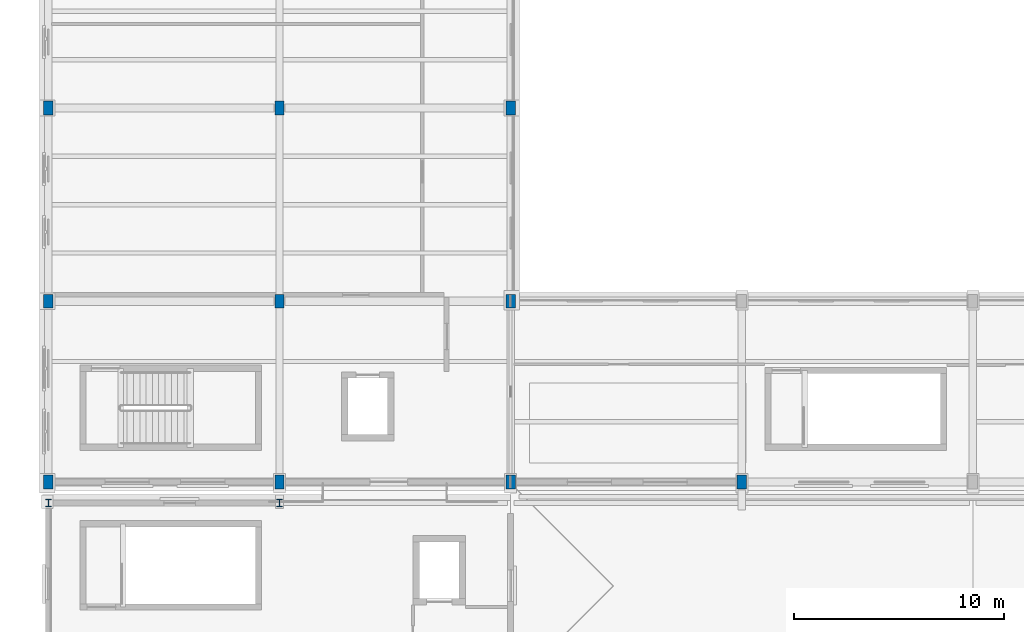
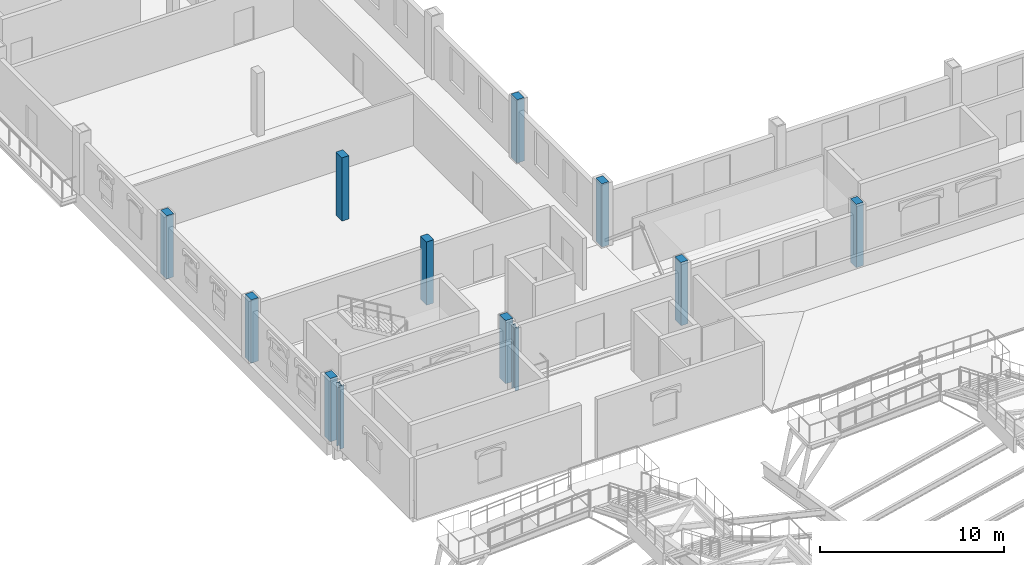
# One storey, part 3 of 43: 12 columns.
"""IFC4 building model written with IfcOpenShell, lengths in metres."""

import ifcopenshell
import ifcopenshell.guid

model = None  # the IFC model being written
_history = None  # IfcOwnerHistory: only IFC2X3 demands one
_inside = {}  # id of a spatial element -> (the spatial element, [elements in it])
_under = {}  # id of a project, library or spatial element -> (it, [spatial elements below it])
_declared = {}  # id of a project -> (the project, [libraries it declares])
_typed = {}  # id of a type object -> (the type object, [elements of that type])
_made_of = {}  # id of a material, layer set ... -> (it, [elements and type objects made of it])


def new_model(schema):
    """Start an empty IFC model of exactly this schema.

    Asked for "IFC4X3", IfcOpenShell would pick the latest addendum, in which some entities
    have other attributes; the version numbers below select the first issue.
    IFC2X3 requires an IfcOwnerHistory on every rooted entity: one is made here for all.
    """
    global model, _history
    if schema == "IFC4X3":
        model = ifcopenshell.file(schema_version=(4, 3, 0, 0))
    else:
        model = ifcopenshell.file(schema=schema)
    _inside.clear()
    _under.clear()
    _declared.clear()
    _typed.clear()
    _made_of.clear()
    _history = None
    if model.schema == "IFC2X3":
        org = make("IfcOrganization", Name="unknown")
        user = make(
            "IfcPersonAndOrganization",
            ThePerson=make("IfcPerson", FamilyName="unknown"),
            TheOrganization=org,
        )
        app = make(
            "IfcApplication",
            ApplicationDeveloper=org,
            Version="unknown",
            ApplicationFullName="unknown",
            ApplicationIdentifier="unknown",
        )
        _history = make(
            "IfcOwnerHistory",
            OwningUser=user,
            OwningApplication=app,
            ChangeAction="ADDED",
            CreationDate=0,
        )
    return model


def make(cls, **values):
    """One entity of the class cls with the attributes given. An attribute that is None is left unset."""
    return model.create_entity(
        cls, **{name: value for name, value in values.items() if value is not None}
    )


def rooted(cls, **values):
    """An entity with a GlobalId (a new one), such as an element, a storey or a relation."""
    return make(cls, GlobalId=ifcopenshell.guid.new(), OwnerHistory=_history, **values)


def si_unit(unit_type, name, prefix=None):
    """IfcSIUnit, for example si_unit("LENGTHUNIT", "METRE", prefix="MILLI")."""
    return make("IfcSIUnit", UnitType=unit_type, Prefix=prefix, Name=name)


def assignment(units):
    """IfcUnitAssignment: the units of a project."""
    return None if units is None else make("IfcUnitAssignment", Units=units)


def point(xyz):
    """IfcCartesianPoint."""
    return None if xyz is None else make("IfcCartesianPoint", Coordinates=xyz)


def direction(xyz):
    """IfcDirection."""
    return None if xyz is None else make("IfcDirection", DirectionRatios=xyz)


def frame(location, z_axis=None, x_axis=None):
    """IfcAxis2Placement3D, a coordinate frame: its origin and axes. An axis left out is left unset."""
    return make(
        "IfcAxis2Placement3D",
        Location=point(location),
        Axis=direction(z_axis),
        RefDirection=direction(x_axis),
    )


def frame_2d(location, x_axis=None):
    """IfcAxis2Placement2D, a coordinate frame in the plane: its origin and x axis."""
    return make(
        "IfcAxis2Placement2D", Location=point(location), RefDirection=direction(x_axis)
    )


def origin():
    """The frame at (0, 0, 0) with its axes left unset."""
    return frame((0.0, 0.0, 0.0))


def origin_2d():
    """The frame at (0, 0) in the plane with its x axis left unset."""
    return frame_2d((0.0, 0.0))


def place(relative_to, where):
    """IfcLocalPlacement: puts the frame where relative to a parent placement (None: the world)."""
    return make(
        "IfcLocalPlacement", PlacementRelTo=relative_to, RelativePlacement=where
    )


def context(
    kind, dimensions, precision=None, world=None, true_north=None, identifier=None
):
    """IfcGeometricRepresentationContext, for example the 3D "Model" context."""
    return make(
        "IfcGeometricRepresentationContext",
        ContextIdentifier=identifier,
        ContextType=kind,
        CoordinateSpaceDimension=dimensions,
        Precision=precision,
        WorldCoordinateSystem=world,
        TrueNorth=true_north,
    )


def subcontext(parent, identifier, kind, view, scale=None):
    """IfcGeometricRepresentationSubContext, for example "Body" below "Model"."""
    return make(
        "IfcGeometricRepresentationSubContext",
        ContextIdentifier=identifier,
        ContextType=kind,
        ParentContext=parent,
        TargetScale=scale,
        TargetView=view,
    )


def project(units=None, contexts=None):
    """IfcProject with its units and contexts."""
    return rooted(
        "IfcProject",
        Name="project",
        RepresentationContexts=contexts,
        UnitsInContext=assignment(units),
    )


def spatial(cls, under=None, at=None, **own):
    """A site, building, storey or space (cls), placed at a placement, below another one or the project."""
    s = rooted(cls, ObjectPlacement=at, **own)
    if under is not None:
        _under.setdefault(under.id(), (under, []))[1].append(s)
    return s


def profile(cls, at=None, kind="AREA", **sizes):
    """A parametric profile (cls). Its sizes go by their IFC names, for example OverallWidth=200.0."""
    return make(cls, ProfileType=kind, Position=at, **sizes)


def rectangle(**sizes):
    """IfcRectangleProfileDef."""
    return profile("IfcRectangleProfileDef", **sizes)


def i_section(**sizes):
    """IfcIShapeProfileDef."""
    return profile("IfcIShapeProfileDef", **sizes)


def extrude(swept, where, along, depth):
    """IfcExtrudedAreaSolid: the profile swept, set in the frame where, extruded along a direction by depth."""
    return make(
        "IfcExtrudedAreaSolid",
        SweptArea=swept,
        Position=where,
        ExtrudedDirection=direction(along),
        Depth=depth,
    )


def shape(context_of_items, identifier, shape_type, items):
    """IfcShapeRepresentation: the items that make up one representation, for example the "Body"."""
    return make(
        "IfcShapeRepresentation",
        ContextOfItems=context_of_items,
        RepresentationIdentifier=identifier,
        RepresentationType=shape_type,
        Items=items,
    )


def material(Name=None, Category=None):
    """IfcMaterial."""
    return make("IfcMaterial", Name=Name, Category=Category)


def material_profile(
    of_material, cross_section, Name=None, Category=None, Priority=None
):
    """IfcMaterialProfile: a cross section and its material."""
    return make(
        "IfcMaterialProfile",
        Name=Name,
        Material=of_material,
        Profile=cross_section,
        Priority=Priority,
        Category=Category,
    )


def profile_set(profiles, Name=None, composite=None):
    """IfcMaterialProfileSet."""
    return make(
        "IfcMaterialProfileSet",
        Name=Name,
        MaterialProfiles=profiles,
        CompositeProfile=composite,
    )


def made_of(thing, what):
    """Note that an element or type object is made of a material, layer set ...; save() writes the relation."""
    if what is not None:
        _made_of.setdefault(what.id(), (what, []))[1].append(thing)
    return thing


def type_object(cls, material=None, **own):
    """A type object (cls), such as IfcWallType, which elements share."""
    return made_of(rooted(cls, **own), material)


def element(
    cls,
    number,
    at=None,
    inside=None,
    cuts=None,
    type_object=None,
    material=None,
    context=None,
    identifier="Body",
    shape_type=None,
    held_by="IfcProductDefinitionShape",
    body=None,
    shapes=None,
    **own,
):
    """One element of the class cls, such as IfcWall. Its Tag is "e" and its number.

    at: its placement. inside: the storey or other place that contains it. cuts: it is an
    opening in that element (IfcRelVoidsElement). A single representation is given by context,
    identifier, shape_type and body (its items); several are given by shapes. held_by: the class
    of the entity that holds the representations. save() writes the other relations.
    """
    e = rooted(cls, Tag="e%d" % number, ObjectPlacement=at, **own)
    if body is not None:
        shapes = [shape(context, identifier, shape_type, body)]
    if shapes is not None:
        e.Representation = make(held_by, Representations=shapes)
    if inside is not None:
        _inside.setdefault(inside.id(), (inside, []))[1].append(e)
    if cuts is not None:
        rooted(
            "IfcRelVoidsElement", RelatingBuildingElement=cuts, RelatedOpeningElement=e
        )
    if type_object is not None:
        _typed.setdefault(type_object.id(), (type_object, []))[1].append(e)
    return made_of(e, material)


def aggregate(whole, parts):
    """IfcRelAggregates: a whole, such as a stair, and the parts it consists of."""
    return rooted("IfcRelAggregates", RelatingObject=whole, RelatedObjects=parts)


def save(model, path):
    """Write the relations noted so far, then the file.

    IfcRelAggregates (storeys below a building ...), IfcRelContainedInSpatialStructure (elements
    in a storey), IfcRelDefinesByType, IfcRelAssociatesMaterial and IfcRelDeclares: one each for
    every whole, place, type object, material and project.
    """
    for whole, parts in _under.values():
        aggregate(whole, parts)
    for where, things in _inside.values():
        rooted(
            "IfcRelContainedInSpatialStructure",
            RelatedElements=things,
            RelatingStructure=where,
        )
    for kind, things in _typed.values():
        rooted("IfcRelDefinesByType", RelatedObjects=things, RelatingType=kind)
    for what, things in _made_of.values():
        rooted("IfcRelAssociatesMaterial", RelatedObjects=things, RelatingMaterial=what)
    for by, libraries in _declared.values():
        rooted("IfcRelDeclares", RelatingContext=by, RelatedDefinitions=libraries)
    model.write(path)


model = new_model("IFC4")

# Units and contexts
model_context = context("Model", 3, precision=1e-05, world=origin(), true_north=direction((0.0, 1.0)))
body_context = subcontext(model_context, "Body", "Model", "MODEL_VIEW")
ifc_project = project(units=[si_unit("LENGTHUNIT", "METRE"), si_unit("AREAUNIT", "SQUARE_METRE"), si_unit("VOLUMEUNIT", "CUBIC_METRE"), si_unit("PLANEANGLEUNIT", "RADIAN"), si_unit("MASSUNIT", "GRAM", prefix="KILO")], contexts=[model_context])

# Site, building, storey
site_placement = place(None, origin())
site = spatial("IfcSite", under=ifc_project, at=site_placement, CompositionType="ELEMENT")
building_placement = place(site_placement, origin())
building = spatial("IfcBuilding", under=site, at=building_placement, Name="Caurita Quay Ferry Terminal", CompositionType="ELEMENT")
storey_placement = place(building_placement, frame((0.0, 0.0, 14.10009765625)))
storey = spatial("IfcBuildingStorey", under=building, at=storey_placement, Name="L03", CompositionType="ELEMENT", Elevation=14.10009765625)

# Columns
ifc_material_1 = material(Name="Reinforced concrete C35/45", Category="concrete")
ifc_material_profile_1 = material_profile(ifc_material_1, rectangle(XDim=0.449951171875, YDim=0.64990234375, at=origin_2d()), Name="RC-COL-650X450")
ifc_profile_set_1 = profile_set([ifc_material_profile_1], Name="Reinforced concrete C35/45")
column_type_1 = type_object("IfcColumnType", Name="COL-RC-6545", PredefinedType="COLUMN", material=ifc_profile_set_1)
for number, where, z_axis, x_axis, name in (
    (1, (0.0, 71.60009765625, 0.0), (0.0, 0.0, 1.0), (1.0, 0.0, 0.0), "L03 Column V5-01-L"),
    (2, (0.0, 80.199951171875, 0.0), (0.0, 0.0, 1.0), (1.0, 0.0, 0.0), "L03 Column V5-01-M"),
    (3, (0.0, 89.39990234375, 0.0), (0.0, 0.0, 1.0), (1.0, 0.0, 0.0), "L03 Column V5-01-N"),
    (4, (11.0, 71.60009765625, 0.0), (0.0, 0.0, 1.0), (1.0, 0.0, 0.0), "L03 Column V5-02-L"),
    (5, (11.0, 80.199951171875, 0.0), (0.0, 0.0, 1.0), (1.0, 0.0, 0.0), "L03 Column V5-02-M"),
    (6, (11.0, 89.39990234375, 0.0), (0.0, 0.0, 1.0), (1.0, 0.0, 0.0), "L03 Column V5-02-N"),
    (7, (22.0, 71.60009765625, 0.0), (0.0, 0.0, 1.0), (1.0, 0.0, 0.0), "L03 Column V5-03-L"),
    (8, (22.0, 80.199951171875, 0.0), (0.0, 0.0, 1.0), (1.0, 0.0, 0.0), "L03 Column V5-03-M"),
    (9, (22.0, 89.39990234375, 0.0), (0.0, 0.0, 1.0), (1.0, 0.0, 0.0), "L03 Column V5-03-N"),
    (10, (33.0, 71.60009765625, 0.0), (0.0, 0.0, 1.0), (1.0, 0.0, 0.0), "L03 Column V5-04-L"),
):
    element("IfcColumn", number, at=place(storey_placement, frame(where, z_axis=z_axis, x_axis=x_axis)), inside=storey, type_object=column_type_1, Name=name, PredefinedType="COLUMN", context=body_context, shape_type="SweptSolid", body=[
        extrude(rectangle(XDim=0.449951171875, YDim=0.64990234375, at=origin_2d()), origin(), (0.0, 0.0, 1.0), 4.199951171875),
    ])
ifc_material_2 = material(Name="Structural steel ASTM A992 Gr. 50", Category="steel")
ifc_material_profile_2 = material_profile(ifc_material_2, i_section(OverallWidth=0.256591796875, OverallDepth=0.36328125, WebThickness=0.012939453125, FlangeThickness=0.021728515625, FilletRadius=0.01513671875, at=origin_2d()), Name="W14X82")
ifc_profile_set_2 = profile_set([ifc_material_profile_2], Name="Structural steel ASTM A992 Gr. 50")
column_type_2 = type_object("IfcColumnType", Name="COL-STL-10", PredefinedType="COLUMN", material=ifc_profile_set_2)
for number, where, z_axis, x_axis, name in (
    (11, (0.0, 70.60009765625, 0.0), (0.0, 0.0, 1.0), (1.0, 0.0, 0.0), "L03 Column V1-NTH-01-K"),
    (12, (11.0, 70.60009765625, 0.0), (0.0, 0.0, 1.0), (1.0, 0.0, 0.0), "L03 Column V1-NTH-02-K"),
):
    element("IfcColumn", number, at=place(storey_placement, frame(where, z_axis=z_axis, x_axis=x_axis)), inside=storey, type_object=column_type_2, Name=name, PredefinedType="COLUMN", context=body_context, shape_type="SweptSolid", body=[
        extrude(i_section(OverallWidth=0.256591796875, OverallDepth=0.36328125, WebThickness=0.012939453125, FlangeThickness=0.021728515625, FilletRadius=0.01513671875, at=origin_2d()), origin(), (0.0, 0.0, 1.0), 4.199951171875),
    ])

save(model, "model.ifc")
